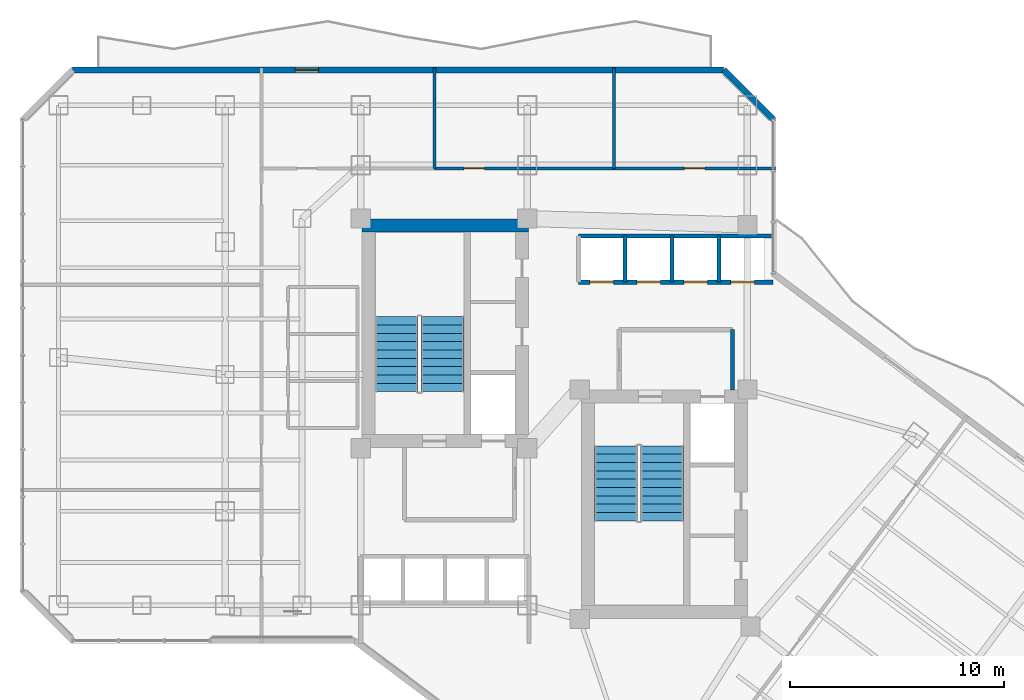
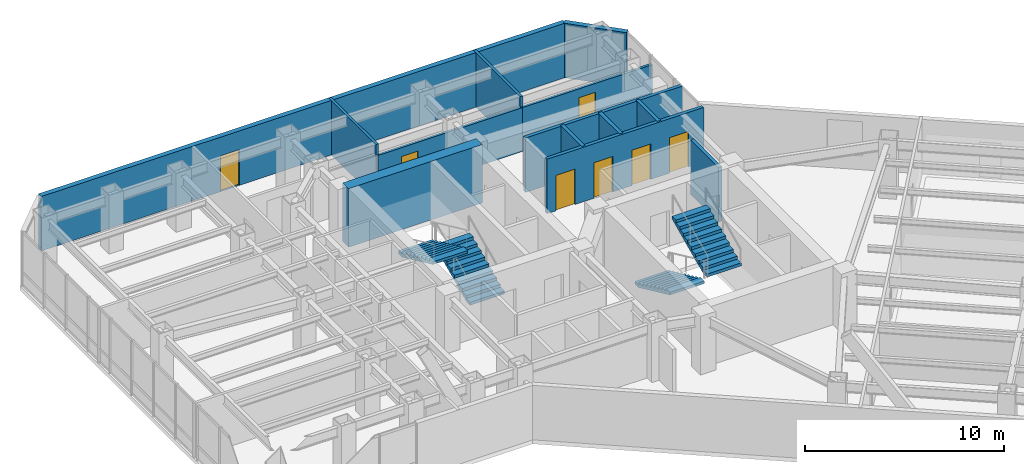
# One storey, part 25 of 30: 13 walls, 7 doors, 4 stair flights, 7 openings, 2 elements without a shape of their own.
"""IFC4 building model written with IfcOpenShell, lengths in metres."""

from ifc_helpers import new_model, si_unit, direction, frame, frame_2d, origin, place, context, subcontext, project, spatial, polyline, rectangle, outline, extrude, material, layer, layer_set, type_object, element, fill, aggregate, save


model = new_model("IFC4")

# Units and contexts
model_context = context("Model", 3, precision=1e-05, world=origin(), true_north=direction((0.0, 1.0)))
body_context = subcontext(model_context, "Body", "Model", "MODEL_VIEW")
ifc_project = project(units=[si_unit("LENGTHUNIT", "METRE"), si_unit("AREAUNIT", "SQUARE_METRE"), si_unit("VOLUMEUNIT", "CUBIC_METRE"), si_unit("PLANEANGLEUNIT", "RADIAN"), si_unit("MASSUNIT", "GRAM", prefix="KILO")], contexts=[model_context])

# Site, building, storey
site_placement = place(None, origin())
site = spatial("IfcSite", under=ifc_project, at=site_placement, CompositionType="ELEMENT")
building_placement = place(site_placement, origin())
building = spatial("IfcBuilding", under=site, at=building_placement, Name="Hatsunagi Terrace Concourse", CompositionType="ELEMENT")
storey_placement = place(building_placement, frame((0.0, 0.0, 101.25)))
storey = spatial("IfcBuildingStorey", under=building, at=storey_placement, Name="L26", CompositionType="ELEMENT", Elevation=101.25)

# Walls
ifc_material_1 = material(Name="Concrete Fc48", Category="concrete")
ifc_layer_1 = layer(ifc_material_1, 0.60009765625)
ifc_layer_set_1 = layer_set([ifc_layer_1], Name="CoreShearWall_Fc48_600")
wall_type_1 = type_object("IfcWallType", Name="CoreShearWall_Fc48_600", PredefinedType="SHEAR", material=ifc_layer_set_1)
wall_1_placement = place(storey_placement, frame((25.6201171875, 42.969970703125, 0.0), z_axis=(0.0, 0.0, 1.0), x_axis=(1.0, 0.0, 0.0)))
element("IfcWall", 1, at=wall_1_placement, inside=storey, type_object=wall_type_1, Name="Core A Shear Wall N L26", PredefinedType="SHEAR", context=body_context, shape_type="SweptSolid", body=[
    extrude(rectangle(XDim=7.77978515625, YDim=0.60009765625, at=frame_2d((3.889892578125, 0.0))), origin(), (0.0, 0.0, 1.0), 3.60009765625),
])
ifc_material_2 = material(Name="Acoustic mineral board", Category="gypsum")
ifc_layer_2 = layer(ifc_material_2, 0.14990234375)
ifc_layer_set_2 = layer_set([ifc_layer_2], Name="PartitionWall_EI60_150")
wall_type_2 = type_object("IfcWallType", Name="PartitionWall_EI60_150", PredefinedType="PARTITIONING", material=ifc_layer_set_2)
wall_2_placement = place(storey_placement, frame((29.0, 45.64990234375, 0.0), z_axis=(0.0, 0.0, 1.0), x_axis=(0.0, 1.0, 0.0)))
element("IfcWall", 2, at=wall_2_placement, inside=storey, type_object=wall_type_2, Name="Interior Partition IW-L26-038", PredefinedType="PARTITIONING", context=body_context, shape_type="SweptSolid", body=[
    extrude(rectangle(XDim=4.710205078125, YDim=0.14990234375, at=frame_2d((2.35498046875, 0.0))), origin(), (0.0, 0.0, 1.0), 3.35009765625),
])

# Wall, opening, door
wall_3_placement = place(storey_placement, frame((29.0, 45.64990234375, 0.0), z_axis=(0.0, 0.0, 1.0), x_axis=(1.0, 0.0, 0.0)))
wall_3 = element("IfcWall", 3, at=wall_3_placement, inside=storey, type_object=wall_type_2, Name="Interior Partition IW-L26-039", PredefinedType="PARTITIONING", context=body_context, shape_type="SweptSolid", body=[
    extrude(rectangle(XDim=8.39990234375, YDim=0.14990234375, at=frame_2d((4.199951171875, 0.0))), origin(), (0.0, 0.0, 1.0), 2.695068359375),
])
opening_1_placement = place(wall_3_placement, frame((1.383056640625, 0.0, 0.0)))
opening_1 = element("IfcOpeningElement", 4, at=opening_1_placement, cuts=wall_3, Name="Opening DR-095", PredefinedType="OPENING", context=body_context, shape_type="SweptSolid", body=[
    extrude(rectangle(XDim=0.949951171875, YDim=2.14990234375, at=frame_2d((0.47509765625, 1.074951171875))), frame((0.0, 0.0849609375, 0.0), z_axis=(0.0, -1.0, 0.0), x_axis=(1.0, 0.0, 0.0)), (0.0, 0.0, 1.0), 0.169921875),
])
ifc_material_3 = material(Name="Hardwood timber", Category="wood")
door_type_1 = type_object("IfcDoorType", Name="InteriorSuiteDoor_EI30_950", OperationType="NOTDEFINED", PredefinedType="DOOR", material=ifc_material_3)
door_1_placement = place(opening_1_placement, origin())
door_1 = element("IfcDoor", 5, at=door_1_placement, inside=storey, type_object=door_type_1, Name="Collaboration Lounge L26-ON2 Door", OperationType="SINGLE_SWING_RIGHT", OverallHeight=2.14990234375, OverallWidth=0.949951171875, PredefinedType="DOOR", context=body_context, shape_type="SweptSolid", body=[
    extrude(rectangle(XDim=0.949951171875, YDim=2.14990234375, at=frame_2d((0.47509765625, 1.074951171875))), frame((0.0, 0.02490234375, 0.0), z_axis=(0.0, -1.0, 0.0), x_axis=(1.0, 0.0, 0.0)), (0.0, 0.0, 1.0), 0.050048828125),
])
fill(opening_1, door_1)

# Wall
wall_4_placement = place(storey_placement, frame((37.39990234375, 45.64990234375, 0.0), z_axis=(0.0, 0.0, 1.0), x_axis=(0.0, 1.0, 0.0)))
element("IfcWall", 6, at=wall_4_placement, inside=storey, type_object=wall_type_2, Name="Interior Partition IW-L26-040", PredefinedType="PARTITIONING", context=body_context, shape_type="SweptSolid", body=[
    extrude(rectangle(XDim=4.710205078125, YDim=0.14990234375, at=frame_2d((2.35498046875, 0.0))), origin(), (0.0, 0.0, 1.0), 3.35009765625),
])

# Wall, opening, door
wall_5_placement = place(storey_placement, frame((37.39990234375, 45.64990234375, 0.0), z_axis=(0.0, 0.0, 1.0), x_axis=(1.0, 0.0, 0.0)))
wall_5 = element("IfcWall", 7, at=wall_5_placement, inside=storey, type_object=wall_type_2, Name="Interior Partition IW-L26-041", PredefinedType="PARTITIONING", context=body_context, shape_type="SweptSolid", body=[
    extrude(rectangle(XDim=7.56005859375, YDim=0.14990234375, at=frame_2d((3.780029296875, 0.0))), origin(), (0.0, 0.0, 1.0), 2.695068359375),
])
opening_2_placement = place(wall_5_placement, frame((3.304931640625, 0.0, 0.0)))
opening_2 = element("IfcOpeningElement", 8, at=opening_2_placement, cuts=wall_5, Name="Opening DR-095", PredefinedType="OPENING", context=body_context, shape_type="SweptSolid", body=[
    extrude(rectangle(XDim=0.949951171875, YDim=2.14990234375, at=frame_2d((0.47509765625, 1.074951171875))), frame((0.0, 0.0849609375, 0.0), z_axis=(0.0, -1.0, 0.0), x_axis=(1.0, 0.0, 0.0)), (0.0, 0.0, 1.0), 0.169921875),
])
door_2_placement = place(opening_2_placement, origin())
door_2 = element("IfcDoor", 9, at=door_2_placement, inside=storey, type_object=door_type_1, Name="Boardroom L26-ON3 Door", OperationType="SINGLE_SWING_RIGHT", OverallHeight=2.14990234375, OverallWidth=0.949951171875, PredefinedType="DOOR", context=body_context, shape_type="SweptSolid", body=[
    extrude(rectangle(XDim=0.949951171875, YDim=2.14990234375, at=frame_2d((0.47509765625, 1.074951171875))), frame((0.0, 0.02490234375, 0.0), z_axis=(0.0, -1.0, 0.0), x_axis=(1.0, 0.0, 0.0)), (0.0, 0.0, 1.0), 0.050048828125),
])
fill(opening_2, door_2)

# Walls
ifc_material_4 = material(Name="Acoustic mineral board", Category="gypsum")
ifc_layer_3 = layer(ifc_material_4, 0.199951171875)
ifc_layer_set_3 = layer_set([ifc_layer_3], Name="ShaftWall_EI120_200")
wall_type_3 = type_object("IfcWallType", Name="ShaftWall_EI120_200", PredefinedType="STANDARD", material=ifc_layer_set_3)
wall_6_placement = place(storey_placement, frame((42.949951171875, 35.27001953125, 0.0), z_axis=(0.0, 0.0, 1.0), x_axis=(0.0, 1.0, 0.0)))
element("IfcWall", 10, at=wall_6_placement, inside=storey, type_object=wall_type_3, Name="Interior Partition IW-L26-009", PredefinedType="STANDARD", context=body_context, shape_type="SweptSolid", body=[
    extrude(rectangle(XDim=2.830078125, YDim=0.199951171875, at=frame_2d((1.4150390625, 0.0))), origin(), (0.0, 0.0, 1.0), 3.35009765625),
])
wall_7_placement = place(storey_placement, frame((35.75, 42.47998046875, 0.0), z_axis=(0.0, 0.0, 1.0), x_axis=(1.0, 0.0, 0.0)))
element("IfcWall", 11, at=wall_7_placement, inside=storey, type_object=wall_type_3, Name="Interior Partition IW-L26-018", PredefinedType="STANDARD", context=body_context, shape_type="SweptSolid", body=[
    extrude(rectangle(XDim=9.110107421875, YDim=0.199951171875, at=frame_2d((4.55517578125, 0.0))), origin(), (0.0, 0.0, 1.0), 3.35009765625),
])
for number, where, z_axis, x_axis, name in (
    (12, (37.919921875, 40.320068359375, 0.0), (0.0, 0.0, 1.0), (0.0, 1.0, 0.0), "Interior Partition IW-L26-020"),
    (13, (40.1201171875, 40.320068359375, 0.0), (0.0, 0.0, 1.0), (0.0, 1.0, 0.0), "Interior Partition IW-L26-021"),
    (14, (42.320068359375, 40.320068359375, 0.0), (0.0, 0.0, 1.0), (0.0, 1.0, 0.0), "Interior Partition IW-L26-022"),
):
    element("IfcWall", number, at=place(storey_placement, frame(where, z_axis=z_axis, x_axis=x_axis)), inside=storey, type_object=wall_type_3, Name=name, PredefinedType="STANDARD", context=body_context, shape_type="SweptSolid", body=[
        extrude(rectangle(XDim=2.159912109375, YDim=0.199951171875, at=frame_2d((1.080078125, 0.0))), origin(), (0.0, 0.0, 1.0), 3.35009765625),
    ])

# Wall, openings, doors
wall_8_placement = place(storey_placement, frame((35.75, 40.320068359375, 0.0), z_axis=(0.0, 0.0, 1.0), x_axis=(1.0, 0.0, 0.0)))
wall_8 = element("IfcWall", 15, at=wall_8_placement, inside=storey, type_object=wall_type_3, Name="Interior Partition IW-L26-023", PredefinedType="STANDARD", context=body_context, shape_type="SweptSolid", body=[
    extrude(rectangle(XDim=9.110107421875, YDim=0.199951171875, at=frame_2d((4.55517578125, 0.0))), origin(), (0.0, 0.0, 1.0), 3.35009765625),
])
opening_3_placement = place(wall_8_placement, frame((0.530029296875, 0.0, 0.0)))
opening_3 = element("IfcOpeningElement", 16, at=opening_3_placement, cuts=wall_8, Name="Opening LD-04", PredefinedType="OPENING", context=body_context, shape_type="SweptSolid", body=[
    extrude(rectangle(XDim=1.10009765625, YDim=2.179931640625, at=frame_2d((0.550048828125, 1.08984375))), frame((0.0, 0.10986328125, 0.0), z_axis=(0.0, -1.0, 0.0), x_axis=(1.0, 0.0, 0.0)), (0.0, 0.0, 1.0), 0.219970703125),
])
opening_4_placement = place(wall_8_placement, frame((2.72998046875, 0.0, 0.0)))
opening_4 = element("IfcOpeningElement", 17, at=opening_4_placement, cuts=wall_8, Name="Opening LD-04", PredefinedType="OPENING", context=body_context, shape_type="SweptSolid", body=[
    extrude(rectangle(XDim=1.10009765625, YDim=2.179931640625, at=frame_2d((0.550048828125, 1.08984375))), frame((0.0, 0.10986328125, 0.0), z_axis=(0.0, -1.0, 0.0), x_axis=(1.0, 0.0, 0.0)), (0.0, 0.0, 1.0), 0.219970703125),
])
opening_5_placement = place(wall_8_placement, frame((4.929931640625, 0.0, 0.0)))
opening_5 = element("IfcOpeningElement", 18, at=opening_5_placement, cuts=wall_8, Name="Opening LD-04", PredefinedType="OPENING", context=body_context, shape_type="SweptSolid", body=[
    extrude(rectangle(XDim=1.10009765625, YDim=2.179931640625, at=frame_2d((0.550048828125, 1.08984375))), frame((0.0, 0.10986328125, 0.0), z_axis=(0.0, -1.0, 0.0), x_axis=(1.0, 0.0, 0.0)), (0.0, 0.0, 1.0), 0.219970703125),
])
opening_6_placement = place(wall_8_placement, frame((7.1298828125, 0.0, 0.0)))
opening_6 = element("IfcOpeningElement", 19, at=opening_6_placement, cuts=wall_8, Name="Opening LD-04", PredefinedType="OPENING", context=body_context, shape_type="SweptSolid", body=[
    extrude(rectangle(XDim=1.10009765625, YDim=2.179931640625, at=frame_2d((0.550048828125, 1.08984375))), frame((0.0, 0.10986328125, 0.0), z_axis=(0.0, -1.0, 0.0), x_axis=(1.0, 0.0, 0.0)), (0.0, 0.0, 1.0), 0.219970703125),
])
ifc_material_5 = material(Name="Stainless steel", Category="steel")
door_type_2 = type_object("IfcDoorType", Name="LiftLandingDoor_LD04", OperationType="SLIDING_TO_RIGHT", PredefinedType="USERDEFINED", material=ifc_material_5)
door_3_placement = place(opening_3_placement, origin())
door_3 = element("IfcDoor", 20, at=door_3_placement, inside=storey, type_object=door_type_2, Name="Lift landing door PL-05 L26", ObjectType="SLIDING_LANDING_DOOR", OperationType="SLIDING_TO_RIGHT", OverallHeight=2.179931640625, OverallWidth=1.10009765625, PredefinedType="USERDEFINED", context=body_context, shape_type="SweptSolid", body=[
    extrude(rectangle(XDim=1.10009765625, YDim=2.179931640625, at=frame_2d((0.550048828125, 1.08984375))), frame((0.0, 0.02490234375, 0.0), z_axis=(0.0, -1.0, 0.0), x_axis=(1.0, 0.0, 0.0)), (0.0, 0.0, 1.0), 0.050048828125),
])
fill(opening_3, door_3)
door_4_placement = place(opening_4_placement, origin())
door_4 = element("IfcDoor", 21, at=door_4_placement, inside=storey, type_object=door_type_2, Name="Lift landing door PL-06 L26", ObjectType="SLIDING_LANDING_DOOR", OperationType="SLIDING_TO_RIGHT", OverallHeight=2.179931640625, OverallWidth=1.10009765625, PredefinedType="USERDEFINED", context=body_context, shape_type="SweptSolid", body=[
    extrude(rectangle(XDim=1.10009765625, YDim=2.179931640625, at=frame_2d((0.550048828125, 1.08984375))), frame((0.0, 0.02490234375, 0.0), z_axis=(0.0, -1.0, 0.0), x_axis=(1.0, 0.0, 0.0)), (0.0, 0.0, 1.0), 0.050048828125),
])
fill(opening_4, door_4)
door_5_placement = place(opening_5_placement, origin())
door_5 = element("IfcDoor", 22, at=door_5_placement, inside=storey, type_object=door_type_2, Name="Lift landing door PL-07 L26", ObjectType="SLIDING_LANDING_DOOR", OperationType="SLIDING_TO_RIGHT", OverallHeight=2.179931640625, OverallWidth=1.10009765625, PredefinedType="USERDEFINED", context=body_context, shape_type="SweptSolid", body=[
    extrude(rectangle(XDim=1.10009765625, YDim=2.179931640625, at=frame_2d((0.550048828125, 1.08984375))), frame((0.0, 0.02490234375, 0.0), z_axis=(0.0, -1.0, 0.0), x_axis=(1.0, 0.0, 0.0)), (0.0, 0.0, 1.0), 0.050048828125),
])
fill(opening_5, door_5)
door_6_placement = place(opening_6_placement, origin())
door_6 = element("IfcDoor", 23, at=door_6_placement, inside=storey, type_object=door_type_2, Name="Lift landing door PL-08 L26", ObjectType="SLIDING_LANDING_DOOR", OperationType="SLIDING_TO_RIGHT", OverallHeight=2.179931640625, OverallWidth=1.10009765625, PredefinedType="USERDEFINED", context=body_context, shape_type="SweptSolid", body=[
    extrude(rectangle(XDim=1.10009765625, YDim=2.179931640625, at=frame_2d((0.550048828125, 1.08984375))), frame((0.0, 0.02490234375, 0.0), z_axis=(0.0, -1.0, 0.0), x_axis=(1.0, 0.0, 0.0)), (0.0, 0.0, 1.0), 0.050048828125),
])
fill(opening_6, door_6)

# Wall, opening, door
ifc_material_6 = material(Name="Autoclaved Lightweight Concrete and Terracotta Cladding", Category="masonry")
ifc_layer_4 = layer(ifc_material_6, 0.280029296875)
ifc_layer_set_4 = layer_set([ifc_layer_4], Name="TerracottaSpandrelWall_280")
wall_type_4 = type_object("IfcWallType", Name="TerracottaSpandrelWall_280", PredefinedType="STANDARD", material=ifc_layer_set_4)
wall_9_placement = place(storey_placement, frame((12.05810546875, 50.260009765625, 0.0), z_axis=(0.0, 0.0, 1.0), x_axis=(1.0, 0.0, 0.0)))
wall_9 = element("IfcWall", 24, at=wall_9_placement, inside=storey, type_object=wall_type_4, Name="Exterior Spandrel Wall EW-L26-11", PredefinedType="STANDARD", context=body_context, shape_type="SweptSolid", body=[
    extrude(rectangle(XDim=30.48388671875, YDim=0.280029296875, at=frame_2d((15.241943359375, 0.0))), origin(), (0.0, 0.0, 1.0), 3.35009765625),
])
opening_7_placement = place(wall_9_placement, frame((10.424072265625, 0.0, 0.0)))
opening_7 = element("IfcOpeningElement", 25, at=opening_7_placement, cuts=wall_9, Name="Opening BD-01", PredefinedType="OPENING", context=body_context, shape_type="SweptSolid", body=[
    extrude(rectangle(XDim=1.10009765625, YDim=2.199951171875, at=frame_2d((0.550048828125, 1.10009765625))), frame((0.0, 0.14990234375, 0.0), z_axis=(0.0, -1.0, 0.0), x_axis=(1.0, 0.0, 0.0)), (0.0, 0.0, 1.0), 0.300048828125),
])
ifc_material_7 = material(Name="Galvanised Steel and Laminated Safety Glass", Category="steel")
door_type_3 = type_object("IfcDoorType", Name="BalconyTerraceAccessDoor_1100x2200", OperationType="SINGLE_SWING_LEFT", PredefinedType="DOOR", material=ifc_material_7)
door_7_placement = place(opening_7_placement, origin())
door_7 = element("IfcDoor", 26, at=door_7_placement, inside=storey, type_object=door_type_3, Name="Engawa Balcony Door L26-BN", OperationType="SINGLE_SWING_RIGHT", OverallHeight=2.199951171875, OverallWidth=1.10009765625, PredefinedType="DOOR", context=body_context, shape_type="SweptSolid", body=[
    extrude(rectangle(XDim=1.10009765625, YDim=2.199951171875, at=frame_2d((0.550048828125, 1.10009765625))), frame((0.0, 0.02490234375, 0.0), z_axis=(0.0, -1.0, 0.0), x_axis=(1.0, 0.0, 0.0)), (0.0, 0.0, 1.0), 0.050048828125),
])
fill(opening_7, door_7)

# Wall
wall_10_placement = place(storey_placement, frame((42.5419921875, 50.260009765625, 0.0), z_axis=(0.0, 0.0, 1.0), x_axis=(0.707106781187, -0.707106781187, 0.0)))
element("IfcWall", 27, at=wall_10_placement, inside=storey, type_object=wall_type_4, Name="Exterior Spandrel Wall EW-L26-12", PredefinedType="STANDARD", context=body_context, shape_type="SweptSolid", body=[
    extrude(rectangle(XDim=3.2783203125, YDim=0.280029296875, at=frame_2d((1.63916015625, 0.0))), origin(), (0.0, 0.0, 1.0), 3.35009765625),
])

# Stair, stair flights
ifc_material_8 = material(Name="Concrete Fc42", Category="concrete")
stair_type = type_object("IfcStairType", Name="DoglegExitStair_Tower2000_20R_180", PredefinedType="HALF_TURN_STAIR", material=ifc_material_8)
stair_1_placement = place(storey_placement, origin())
stair_1 = element("IfcStair", 28, at=stair_1_placement, inside=storey, type_object=stair_type, Name="L26 Core A Protected Exit Stair ST-A", PredefinedType="HALF_TURN_STAIR")
ifc_material_9 = material(Name="Concrete Fc42", Category="concrete")
stair_flight_type = type_object("IfcStairFlightType", Name="DoglegStairFlight_Tower2000_20R_180", PredefinedType="STRAIGHT", material=ifc_material_9)
stair_flight_1_placement = place(storey_placement, frame((29.3798828125, 35.199951171875, 0.0), z_axis=(0.0, 0.0, 1.0), x_axis=(0.0, 1.0, 0.0)))
stair_flight_1 = element("IfcStairFlight", 29, at=stair_flight_1_placement, type_object=stair_flight_type, Name="ST-A flight 1", NumberOfRisers=10, NumberOfTreads=9, PredefinedType="STRAIGHT", RiserHeight=0.18, TreadLength=0.39, context=body_context, shape_type="SweptSolid", body=[
    extrude(outline(polyline([(0.0, 0.0), (0.0, 0.179931640625), (0.389892578125, 0.179931640625), (0.389892578125, 0.360107421875), (0.780029296875, 0.360107421875), (0.780029296875, 0.5400390625), (1.169921875, 0.5400390625), (1.169921875, 0.719970703125), (1.56005859375, 0.719970703125), (1.56005859375, 0.89990234375), (1.949951171875, 0.89990234375), (1.949951171875, 1.080078125), (2.340087890625, 1.080078125), (2.340087890625, 1.260009765625), (2.72998046875, 1.260009765625), (2.72998046875, 1.43994140625), (3.1201171875, 1.43994140625), (3.1201171875, 1.6201171875), (3.510009765625, 1.6201171875), (3.510009765625, 1.800048828125), (3.510009765625, 1.454833984375), (0.357666015625, 0.0), (0.0, 0.0)])), frame((0.0, 1.0, 0.0), z_axis=(0.0, -1.0, 0.0), x_axis=(1.0, 0.0, 0.0)), (0.0, 0.0, 1.0), 2.0),
])
stair_flight_2_placement = place(storey_placement, frame((27.22998046875, 38.7099609375, 1.800048828125), z_axis=(0.0, 0.0, 1.0), x_axis=(0.0, -1.0, 0.0)))
stair_flight_2 = element("IfcStairFlight", 30, at=stair_flight_2_placement, type_object=stair_flight_type, Name="ST-A flight 2", NumberOfRisers=10, NumberOfTreads=9, PredefinedType="STRAIGHT", RiserHeight=0.18, TreadLength=0.39, context=body_context, shape_type="SweptSolid", body=[
    extrude(outline(polyline([(0.0, 0.0), (0.0, 0.179931640625), (0.389892578125, 0.179931640625), (0.389892578125, 0.360107421875), (0.780029296875, 0.360107421875), (0.780029296875, 0.5400390625), (1.169921875, 0.5400390625), (1.169921875, 0.719970703125), (1.56005859375, 0.719970703125), (1.56005859375, 0.89990234375), (1.949951171875, 0.89990234375), (1.949951171875, 1.080078125), (2.340087890625, 1.080078125), (2.340087890625, 1.260009765625), (2.72998046875, 1.260009765625), (2.72998046875, 1.43994140625), (3.1201171875, 1.43994140625), (3.1201171875, 1.6201171875), (3.510009765625, 1.6201171875), (3.510009765625, 1.800048828125), (3.510009765625, 1.454833984375), (0.357666015625, 0.0), (0.0, 0.0)])), frame((0.0, 1.0, 0.0), z_axis=(0.0, -1.0, 0.0), x_axis=(1.0, 0.0, 0.0)), (0.0, 0.0, 1.0), 2.0),
])
aggregate(stair_1, [stair_flight_1, stair_flight_2])

stair_2_placement = place(storey_placement, origin())
stair_2 = element("IfcStair", 31, at=stair_2_placement, inside=storey, type_object=stair_type, Name="L26 Core B Protected Exit Stair ST-B", PredefinedType="HALF_TURN_STAIR")
stair_flight_3_placement = place(storey_placement, frame((37.5, 32.659912109375, 0.0), z_axis=(0.0, 0.0, 1.0), x_axis=(0.0, -1.0, 0.0)))
stair_flight_3 = element("IfcStairFlight", 32, at=stair_flight_3_placement, type_object=stair_flight_type, Name="ST-B flight 1", NumberOfRisers=10, NumberOfTreads=9, PredefinedType="STRAIGHT", RiserHeight=0.18, TreadLength=0.39, context=body_context, shape_type="SweptSolid", body=[
    extrude(outline(polyline([(0.0, 0.0), (0.0, 0.179931640625), (0.389892578125, 0.179931640625), (0.389892578125, 0.360107421875), (0.780029296875, 0.360107421875), (0.780029296875, 0.5400390625), (1.169921875, 0.5400390625), (1.169921875, 0.719970703125), (1.56005859375, 0.719970703125), (1.56005859375, 0.89990234375), (1.949951171875, 0.89990234375), (1.949951171875, 1.080078125), (2.340087890625, 1.080078125), (2.340087890625, 1.260009765625), (2.72998046875, 1.260009765625), (2.72998046875, 1.43994140625), (3.1201171875, 1.43994140625), (3.1201171875, 1.6201171875), (3.510009765625, 1.6201171875), (3.510009765625, 1.800048828125), (3.510009765625, 1.454833984375), (0.357666015625, 0.0), (0.0, 0.0)])), frame((0.0, 1.0, 0.0), z_axis=(0.0, -1.0, 0.0), x_axis=(1.0, 0.0, 0.0)), (0.0, 0.0, 1.0), 2.0),
])
stair_flight_4_placement = place(storey_placement, frame((39.64990234375, 29.14990234375, 1.800048828125), z_axis=(0.0, 0.0, 1.0), x_axis=(0.0, 1.0, 0.0)))
stair_flight_4 = element("IfcStairFlight", 33, at=stair_flight_4_placement, type_object=stair_flight_type, Name="ST-B flight 2", NumberOfRisers=10, NumberOfTreads=9, PredefinedType="STRAIGHT", RiserHeight=0.18, TreadLength=0.39, context=body_context, shape_type="SweptSolid", body=[
    extrude(outline(polyline([(0.0, 0.0), (0.0, 0.179931640625), (0.389892578125, 0.179931640625), (0.389892578125, 0.360107421875), (0.780029296875, 0.360107421875), (0.780029296875, 0.5400390625), (1.169921875, 0.5400390625), (1.169921875, 0.719970703125), (1.56005859375, 0.719970703125), (1.56005859375, 0.89990234375), (1.949951171875, 0.89990234375), (1.949951171875, 1.080078125), (2.340087890625, 1.080078125), (2.340087890625, 1.260009765625), (2.72998046875, 1.260009765625), (2.72998046875, 1.43994140625), (3.1201171875, 1.43994140625), (3.1201171875, 1.6201171875), (3.510009765625, 1.6201171875), (3.510009765625, 1.800048828125), (3.510009765625, 1.454833984375), (0.357666015625, 0.0), (0.0, 0.0)])), frame((0.0, 1.0, 0.0), z_axis=(0.0, -1.0, 0.0), x_axis=(1.0, 0.0, 0.0)), (0.0, 0.0, 1.0), 2.0),
])
aggregate(stair_2, [stair_flight_3, stair_flight_4])

save(model, "model.ifc")
